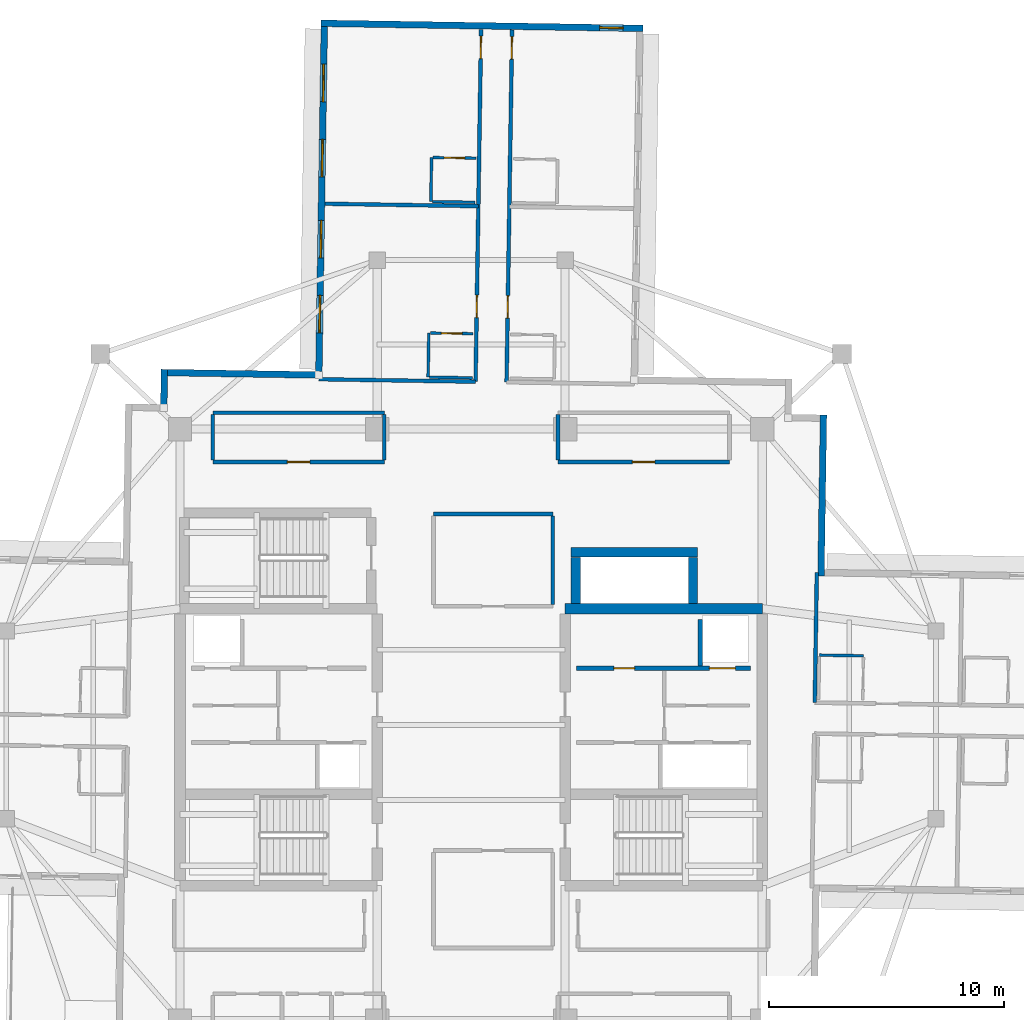
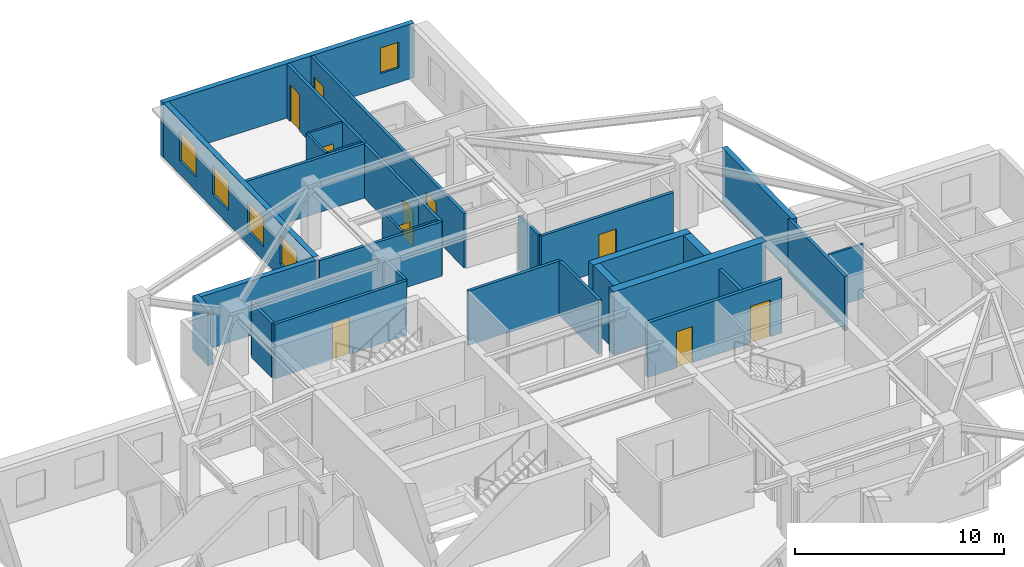
# One storey, part 7 of 12: 31 walls, 10 doors, 5 windows, 15 openings.
"""IFC4 building model written with IfcOpenShell, lengths in metres."""

from ifc_helpers import new_model, si_unit, direction, frame, frame_2d, origin, place, context, subcontext, project, spatial, rectangle, extrude, material, layer, layer_set, type_object, element, fill, save


model = new_model("IFC4")

# Units and contexts
model_context = context("Model", 3, precision=1e-05, world=origin(), true_north=direction((0.0, 1.0)))
body_context = subcontext(model_context, "Body", "Model", "MODEL_VIEW")
ifc_project = project(units=[si_unit("LENGTHUNIT", "METRE"), si_unit("AREAUNIT", "SQUARE_METRE"), si_unit("VOLUMEUNIT", "CUBIC_METRE"), si_unit("PLANEANGLEUNIT", "RADIAN"), si_unit("MASSUNIT", "GRAM", prefix="KILO")], contexts=[model_context])

# Site, building, storey
site_placement = place(None, origin())
site = spatial("IfcSite", under=ifc_project, at=site_placement, CompositionType="ELEMENT")
building_placement = place(site_placement, origin())
building = spatial("IfcBuilding", under=site, at=building_placement, Name="Qingluan Cross Belvedere", CompositionType="ELEMENT")
storey_placement = place(building_placement, frame((0.0, 0.0, 261.60009765625)))
storey = spatial("IfcBuildingStorey", under=building, at=storey_placement, Name="L65", CompositionType="ELEMENT", Elevation=261.60009765625)

# Walls
ifc_material_1 = material(Name="Concrete C50", Category="concrete")
ifc_layer_1 = layer(ifc_material_1, 0.449951171875, Name="CoreShearWall_450")
ifc_layer_set_1 = layer_set([ifc_layer_1], Name="Concrete C50")
wall_type_1 = type_object("IfcWallType", Name="CoreShearWall_450", PredefinedType="SHEAR", material=ifc_layer_set_1)
wall_1_placement = place(storey_placement, frame((4.0, 4.949951171875, 0.0), z_axis=(0.0, 0.0, 1.0), x_axis=(1.0, 0.0, 0.0)))
element("IfcWall", 1, at=wall_1_placement, inside=storey, type_object=wall_type_1, Name="Split core E shear wall L65-N", PredefinedType="SHEAR", context=body_context, shape_type="SweptSolid", body=[
    extrude(rectangle(XDim=8.39990234375, YDim=0.449951171875, at=frame_2d((4.199951171875, 0.0))), origin(), (0.0, 0.0, 1.0), 3.699951171875),
])
wall_2_placement = place(storey_placement, frame((4.449951171875, 5.179931640625, 0.0), z_axis=(0.0, 0.0, 1.0), x_axis=(0.0, 1.0, 0.0)))
element("IfcWall", 2, at=wall_2_placement, inside=storey, type_object=wall_type_1, Name="Express shuttle core wall L65-W", PredefinedType="SHEAR", context=body_context, shape_type="SweptSolid", body=[
    extrude(rectangle(XDim=1.9599609375, YDim=0.39990234375, at=frame_2d((0.97998046875, 0.0))), origin(), (0.0, 0.0, 1.0), 3.699951171875),
])
wall_3_placement = place(storey_placement, frame((4.25, 7.35009765625, 0.0), z_axis=(0.0, 0.0, 1.0), x_axis=(1.0, 0.0, 0.0)))
element("IfcWall", 3, at=wall_3_placement, inside=storey, type_object=wall_type_1, Name="Express shuttle core wall L65-N", PredefinedType="SHEAR", context=body_context, shape_type="SweptSolid", body=[
    extrude(rectangle(XDim=5.39990234375, YDim=0.39990234375, at=frame_2d((2.699951171875, 0.0))), origin(), (0.0, 0.0, 1.0), 3.699951171875),
])
wall_4_placement = place(storey_placement, frame((9.449951171875, 5.179931640625, 0.0), z_axis=(0.0, 0.0, 1.0), x_axis=(0.0, 1.0, 0.0)))
element("IfcWall", 4, at=wall_4_placement, inside=storey, type_object=wall_type_1, Name="Express shuttle core wall L65-E", PredefinedType="SHEAR", context=body_context, shape_type="SweptSolid", body=[
    extrude(rectangle(XDim=1.9599609375, YDim=0.39990234375, at=frame_2d((0.97998046875, 0.0))), origin(), (0.0, 0.0, 1.0), 3.699951171875),
])

# Wall, opening, door
ifc_material_2 = material(Name="Gypsum plasterboard on steel stud acoustic partition", Category="steel")
ifc_layer_2 = layer(ifc_material_2, 0.159912109375, Name="CorridorPartition_160")
ifc_layer_set_2 = layer_set([ifc_layer_2], Name="Gypsum plasterboard on steel stud acoustic partition")
wall_type_2 = type_object("IfcWallType", Name="CorridorPartition_160", PredefinedType="PARTITIONING", material=ifc_layer_set_2)
wall_5_placement = place(storey_placement, frame((-11.0, 11.199951171875, 0.0), z_axis=(0.0, 0.0, 1.0), x_axis=(1.0, 0.0, 0.0)))
wall_5 = element("IfcWall", 5, at=wall_5_placement, inside=storey, type_object=wall_type_2, Name="Partition L65:q_nw_occ:S", PredefinedType="PARTITIONING", context=body_context, shape_type="SweptSolid", body=[
    extrude(rectangle(XDim=7.300048828125, YDim=0.159912109375, at=frame_2d((3.64990234375, 0.0))), origin(), (0.0, 0.0, 1.0), 3.169921875),
])
opening_1_placement = place(wall_5_placement, frame((3.169921875, 0.0, 0.0)))
opening_1 = element("IfcOpeningElement", 6, at=opening_1_placement, cuts=wall_5, Name="Opening GD-10", PredefinedType="OPENING", context=body_context, shape_type="SweptSolid", body=[
    extrude(rectangle(XDim=0.9599609375, YDim=2.14990234375, at=frame_2d((0.47998046875, 1.074951171875))), frame((0.0, 0.08984375, 0.0), z_axis=(0.0, -1.0, 0.0), x_axis=(1.0, 0.0, 0.0)), (0.0, 0.0, 1.0), 0.179931640625),
])
ifc_material_3 = material(Name="Timber oak fire-rated acoustic guestroom door", Category="wood")
door_type_1 = type_object("IfcDoorType", Name="GuestEntryDoor_FD60", OperationType="NOTDEFINED", PredefinedType="DOOR", material=ifc_material_3)
door_1_placement = place(opening_1_placement, origin())
door_1 = element("IfcDoor", 7, at=door_1_placement, inside=storey, type_object=door_type_1, Name="Northwest sky reading salon L65 door", OperationType="SINGLE_SWING_RIGHT", OverallHeight=2.14990234375, OverallWidth=0.9599609375, PredefinedType="DOOR", context=body_context, shape_type="SweptSolid", body=[
    extrude(rectangle(XDim=0.9599609375, YDim=2.14990234375, at=frame_2d((0.47998046875, 1.074951171875))), frame((0.0, 0.02490234375, 0.0), z_axis=(0.0, -1.0, 0.0), x_axis=(1.0, 0.0, 0.0)), (0.0, 0.0, 1.0), 0.050048828125),
])
fill(opening_1, door_1)

# Walls
wall_6_placement = place(storey_placement, frame((-11.0, 13.300048828125, 0.0), z_axis=(0.0, 0.0, 1.0), x_axis=(1.0, 0.0, 0.0)))
element("IfcWall", 8, at=wall_6_placement, inside=storey, type_object=wall_type_2, Name="Partition L65:q_nw_occ:N", PredefinedType="PARTITIONING", context=body_context, shape_type="SweptSolid", body=[
    extrude(rectangle(XDim=7.300048828125, YDim=0.159912109375, at=frame_2d((3.64990234375, 0.0))), origin(), (0.0, 0.0, 1.0), 3.169921875),
])
for number, where, z_axis, x_axis, name in (
    (9, (-11.0, 11.284912109375, 0.0), (0.0, 0.0, 1.0), (0.0, 1.0, 0.0), "Partition L65:q_nw_occ:W"),
    (10, (-3.699951171875, 11.284912109375, 0.0), (0.0, 0.0, 1.0), (0.0, 1.0, 0.0), "Partition L65:q_nw_occ:E"),
):
    element("IfcWall", number, at=place(storey_placement, frame(where, z_axis=z_axis, x_axis=x_axis)), inside=storey, type_object=wall_type_2, Name=name, PredefinedType="PARTITIONING", context=body_context, shape_type="SweptSolid", body=[
        extrude(rectangle(XDim=1.93017578125, YDim=0.159912109375, at=frame_2d((0.965087890625, 0.0))), origin(), (0.0, 0.0, 1.0), 3.169921875),
    ])

# Wall, opening, door
wall_7_placement = place(storey_placement, frame((3.699951171875, 11.199951171875, 0.0), z_axis=(0.0, 0.0, 1.0), x_axis=(1.0, 0.0, 0.0)))
wall_7 = element("IfcWall", 11, at=wall_7_placement, inside=storey, type_object=wall_type_2, Name="Partition L65:q_ne:S", PredefinedType="PARTITIONING", context=body_context, shape_type="SweptSolid", body=[
    extrude(rectangle(XDim=7.300048828125, YDim=0.159912109375, at=frame_2d((3.64990234375, 0.0))), origin(), (0.0, 0.0, 1.0), 3.169921875),
])
opening_2_placement = place(wall_7_placement, frame((3.169921875, 0.0, 0.0)))
opening_2 = element("IfcOpeningElement", 12, at=opening_2_placement, cuts=wall_7, Name="Opening GD-10", PredefinedType="OPENING", context=body_context, shape_type="SweptSolid", body=[
    extrude(rectangle(XDim=0.9599609375, YDim=2.14990234375, at=frame_2d((0.47998046875, 1.074951171875))), frame((0.0, 0.08984375, 0.0), z_axis=(0.0, -1.0, 0.0), x_axis=(1.0, 0.0, 0.0)), (0.0, 0.0, 1.0), 0.179931640625),
])
door_2_placement = place(opening_2_placement, origin())
door_2 = element("IfcDoor", 13, at=door_2_placement, inside=storey, type_object=door_type_1, Name="Sky tea ceremony salon L65 door", OperationType="SINGLE_SWING_LEFT", OverallHeight=2.14990234375, OverallWidth=0.9599609375, PredefinedType="DOOR", context=body_context, shape_type="SweptSolid", body=[
    extrude(rectangle(XDim=0.9599609375, YDim=2.14990234375, at=frame_2d((0.47998046875, 1.074951171875))), frame((0.0, 0.02490234375, 0.0), z_axis=(0.0, -1.0, 0.0), x_axis=(1.0, 0.0, 0.0)), (0.0, 0.0, 1.0), 0.050048828125),
])
fill(opening_2, door_2)

# Walls
wall_8_placement = place(storey_placement, frame((3.699951171875, 11.284912109375, 0.0), z_axis=(0.0, 0.0, 1.0), x_axis=(0.0, 1.0, 0.0)))
element("IfcWall", 14, at=wall_8_placement, inside=storey, type_object=wall_type_2, Name="Partition L65:q_ne:W", PredefinedType="PARTITIONING", context=body_context, shape_type="SweptSolid", body=[
    extrude(rectangle(XDim=1.93017578125, YDim=0.159912109375, at=frame_2d((0.965087890625, 0.0))), origin(), (0.0, 0.0, 1.0), 3.169921875),
])
wall_9_placement = place(storey_placement, frame((-1.60009765625, 8.97998046875, 0.0), z_axis=(0.0, 0.0, 1.0), x_axis=(1.0, 0.0, 0.0)))
element("IfcWall", 15, at=wall_9_placement, inside=storey, type_object=wall_type_2, Name="Partition L65:sky_tea_alcove:N", PredefinedType="PARTITIONING", context=body_context, shape_type="SweptSolid", body=[
    extrude(rectangle(XDim=5.080078125, YDim=0.159912109375, at=frame_2d((2.5400390625, 0.0))), origin(), (0.0, 0.0, 1.0), 3.169921875),
])
wall_10_placement = place(storey_placement, frame((3.47998046875, 5.135009765625, 0.0), z_axis=(0.0, 0.0, 1.0), x_axis=(0.0, 1.0, 0.0)))
element("IfcWall", 16, at=wall_10_placement, inside=storey, type_object=wall_type_2, Name="Partition L65:sky_tea_alcove:E", PredefinedType="PARTITIONING", context=body_context, shape_type="SweptSolid", body=[
    extrude(rectangle(XDim=3.760009765625, YDim=0.159912109375, at=frame_2d((1.8798828125, 0.0))), origin(), (0.0, 0.0, 1.0), 3.169921875),
])
wall_11_placement = place(storey_placement, frame((14.63671875, 0.9501953125, 0.0), z_axis=(0.0, 0.0, 1.0), x_axis=(0.015688491621, 0.999876928042, 0.0)))
element("IfcWall", 17, at=wall_11_placement, inside=storey, type_object=wall_type_2, Name="Partition L65:E:s0", PredefinedType="PARTITIONING", context=body_context, shape_type="SweptSolid", body=[
    extrude(rectangle(XDim=5.5400390625, YDim=0.159912109375, at=frame_2d((2.77001953125, 0.0))), origin(), (0.0, 0.0, 1.0), 3.169921875),
])

# Wall, openings, doors
wall_12_placement = place(storey_placement, frame((1.509521484375, 14.59814453125, 0.0), z_axis=(0.0, 0.0, 1.0), x_axis=(0.015709976686, 0.999876590701, 0.0)))
wall_12 = element("IfcWall", 18, at=wall_12_placement, inside=storey, type_object=wall_type_2, Name="Partition L65:N:c0", PredefinedType="PARTITIONING", context=body_context, shape_type="SweptSolid", body=[
    extrude(rectangle(XDim=15.01220703125, YDim=0.159912109375, at=frame_2d((7.506103515625, 0.0))), origin(), (0.0, 0.0, 1.0), 3.169921875),
])
opening_3_placement = place(wall_12_placement, frame((2.72802734375, 0.0, 0.0)))
opening_3 = element("IfcOpeningElement", 19, at=opening_3_placement, cuts=wall_12, Name="Opening GD-10", PredefinedType="OPENING", context=body_context, shape_type="SweptSolid", body=[
    extrude(rectangle(XDim=0.9599609375, YDim=2.14990234375, at=frame_2d((0.47998046875, 1.074951171875))), frame((0.0, 0.08984375, 0.0), z_axis=(0.0, -1.0, 0.0), x_axis=(1.0, 0.0, 0.0)), (0.0, 0.0, 1.0), 0.179931640625),
])
opening_4_placement = place(wall_12_placement, frame((13.760009765625, 0.0, 0.0)))
opening_4 = element("IfcOpeningElement", 20, at=opening_4_placement, cuts=wall_12, Name="Opening GD-10", PredefinedType="OPENING", context=body_context, shape_type="SweptSolid", body=[
    extrude(rectangle(XDim=0.9599609375, YDim=2.14990234375, at=frame_2d((0.47998046875, 1.074951171875))), frame((0.0, 0.08984375, 0.0), z_axis=(0.0, -1.0, 0.0), x_axis=(1.0, 0.0, 0.0)), (0.0, 0.0, 1.0), 0.179931640625),
])
door_3_placement = place(opening_3_placement, origin())
door_3 = element("IfcDoor", 21, at=door_3_placement, inside=storey, type_object=door_type_1, Name="Guest entry fire door 6509", OperationType="SINGLE_SWING_RIGHT", OverallHeight=2.14990234375, OverallWidth=0.9599609375, PredefinedType="DOOR", context=body_context, shape_type="SweptSolid", body=[
    extrude(rectangle(XDim=0.9599609375, YDim=2.14990234375, at=frame_2d((0.47998046875, 1.074951171875))), frame((0.0, 0.02490234375, 0.0), z_axis=(0.0, -1.0, 0.0), x_axis=(1.0, 0.0, 0.0)), (0.0, 0.0, 1.0), 0.050048828125),
])
fill(opening_3, door_3)
door_4_placement = place(opening_4_placement, origin())
door_4 = element("IfcDoor", 22, at=door_4_placement, inside=storey, type_object=door_type_1, Name="Guest entry fire door 6510", OperationType="SINGLE_SWING_RIGHT", OverallHeight=2.14990234375, OverallWidth=0.9599609375, PredefinedType="DOOR", context=body_context, shape_type="SweptSolid", body=[
    extrude(rectangle(XDim=0.9599609375, YDim=2.14990234375, at=frame_2d((0.47998046875, 1.074951171875))), frame((0.0, 0.02490234375, 0.0), z_axis=(0.0, -1.0, 0.0), x_axis=(1.0, 0.0, 0.0)), (0.0, 0.0, 1.0), 0.050048828125),
])
fill(opening_4, door_4)

wall_13_placement = place(storey_placement, frame((0.189697265625, 14.618896484375, 0.0), z_axis=(0.0, 0.0, 1.0), x_axis=(0.015710232149, 0.999876586687, 0.0)))
wall_13 = element("IfcWall", 23, at=wall_13_placement, inside=storey, type_object=wall_type_2, Name="Partition L65:N:c1", PredefinedType="PARTITIONING", context=body_context, shape_type="SweptSolid", body=[
    extrude(rectangle(XDim=15.011962890625, YDim=0.159912109375, at=frame_2d((7.505859375, 0.0))), origin(), (0.0, 0.0, 1.0), 3.169921875),
])
opening_5_placement = place(wall_13_placement, frame((2.72802734375, 0.0, 0.0)))
opening_5 = element("IfcOpeningElement", 24, at=opening_5_placement, cuts=wall_13, Name="Opening GD-10", PredefinedType="OPENING", context=body_context, shape_type="SweptSolid", body=[
    extrude(rectangle(XDim=0.9599609375, YDim=2.14990234375, at=frame_2d((0.47998046875, 1.074951171875))), frame((0.0, 0.08984375, 0.0), z_axis=(0.0, -1.0, 0.0), x_axis=(1.0, 0.0, 0.0)), (0.0, 0.0, 1.0), 0.179931640625),
])
opening_6_placement = place(wall_13_placement, frame((13.760009765625, 0.0, 0.0)))
opening_6 = element("IfcOpeningElement", 25, at=opening_6_placement, cuts=wall_13, Name="Opening GD-10", PredefinedType="OPENING", context=body_context, shape_type="SweptSolid", body=[
    extrude(rectangle(XDim=0.9599609375, YDim=2.14990234375, at=frame_2d((0.47998046875, 1.074951171875))), frame((0.0, 0.08984375, 0.0), z_axis=(0.0, -1.0, 0.0), x_axis=(1.0, 0.0, 0.0)), (0.0, 0.0, 1.0), 0.179931640625),
])
door_5_placement = place(opening_5_placement, origin())
door_5 = element("IfcDoor", 26, at=door_5_placement, inside=storey, type_object=door_type_1, Name="Guest entry fire door 6511", OperationType="SINGLE_SWING_RIGHT", OverallHeight=2.14990234375, OverallWidth=0.9599609375, PredefinedType="DOOR", context=body_context, shape_type="SweptSolid", body=[
    extrude(rectangle(XDim=0.9599609375, YDim=2.14990234375, at=frame_2d((0.47998046875, 1.074951171875))), frame((0.0, 0.02490234375, 0.0), z_axis=(0.0, -1.0, 0.0), x_axis=(1.0, 0.0, 0.0)), (0.0, 0.0, 1.0), 0.050048828125),
])
fill(opening_5, door_5)
door_6_placement = place(opening_6_placement, origin())
door_6 = element("IfcDoor", 27, at=door_6_placement, inside=storey, type_object=door_type_1, Name="Guest entry fire door 6512", OperationType="SINGLE_SWING_RIGHT", OverallHeight=2.14990234375, OverallWidth=0.9599609375, PredefinedType="DOOR", context=body_context, shape_type="SweptSolid", body=[
    extrude(rectangle(XDim=0.9599609375, YDim=2.14990234375, at=frame_2d((0.47998046875, 1.074951171875))), frame((0.0, 0.02490234375, 0.0), z_axis=(0.0, -1.0, 0.0), x_axis=(1.0, 0.0, 0.0)), (0.0, 0.0, 1.0), 0.050048828125),
])
fill(opening_6, door_6)

# Walls
wall_14_placement = place(storey_placement, frame((0.189697265625, 14.618896484375, 0.0), z_axis=(0.0, 0.0, 1.0), x_axis=(-0.999877076246, 0.015679043267, 0.0)))
element("IfcWall", 28, at=wall_14_placement, inside=storey, type_object=wall_type_2, Name="Partition L65:N:s1", PredefinedType="PARTITIONING", context=body_context, shape_type="SweptSolid", body=[
    extrude(rectangle(XDim=6.679931640625, YDim=0.159912109375, at=frame_2d((3.33984375, 0.0))), origin(), (0.0, 0.0, 1.0), 3.169921875),
])
wall_15_placement = place(storey_placement, frame((0.30712890625, 22.094970703125, 0.0), z_axis=(0.0, 0.0, 1.0), x_axis=(-0.999876781534, 0.015697826265, 0.0)))
element("IfcWall", 29, at=wall_15_placement, inside=storey, type_object=wall_type_2, Name="Partition L65:N:d1_0", PredefinedType="PARTITIONING", context=body_context, shape_type="SweptSolid", body=[
    extrude(rectangle(XDim=6.531982421875, YDim=0.159912109375, at=frame_2d((3.26611328125, 0.0))), origin(), (0.0, 0.0, 1.0), 3.169921875),
])
ifc_material_4 = material(Name="Moisture-resistant gypsum board lining")
ifc_layer_3 = layer(ifc_material_4, 0.1201171875, Name="EnsuiteWetPartition_120")
ifc_layer_set_3 = layer_set([ifc_layer_3], Name="Moisture-resistant gypsum board lining")
wall_type_3 = type_object("IfcWallType", Name="EnsuiteWetPartition_120", PredefinedType="PARTITIONING", material=ifc_layer_set_3)
wall_16_placement = place(storey_placement, frame((14.82861328125, 2.972412109375, 0.0), z_axis=(0.0, 0.0, 1.0), x_axis=(0.99987652141, -0.015714386166, 0.0)))
element("IfcWall", 30, at=wall_16_placement, inside=storey, type_object=wall_type_3, Name="Partition L65:E:bn0_0", PredefinedType="PARTITIONING", context=body_context, shape_type="SweptSolid", body=[
    extrude(rectangle(XDim=1.8798828125, YDim=0.1201171875, at=frame_2d((0.93994140625, 0.0))), origin(), (0.0, 0.0, 1.0), 3.169921875),
])

# Wall, opening, door
wall_17_placement = place(storey_placement, frame((-1.738037109375, 16.689453125, 0.0), z_axis=(0.0, 0.0, 1.0), x_axis=(0.999876836305, -0.015694337248, 0.0)))
wall_17 = element("IfcWall", 31, at=wall_17_placement, inside=storey, type_object=wall_type_3, Name="Partition L65:N:bs1_0", PredefinedType="PARTITIONING", context=body_context, shape_type="SweptSolid", body=[
    extrude(rectangle(XDim=1.820068359375, YDim=0.1201171875, at=frame_2d((0.91015625, 0.0))), origin(), (0.0, 0.0, 1.0), 3.169921875),
])
opening_7_placement = place(wall_17_placement, frame((0.469970703125, 0.0, 0.0)))
opening_7 = element("IfcOpeningElement", 32, at=opening_7_placement, cuts=wall_17, Name="Opening BD-09", PredefinedType="OPENING", context=body_context, shape_type="SweptSolid", body=[
    extrude(rectangle(XDim=0.8798828125, YDim=2.10009765625, at=frame_2d((0.43994140625, 1.050048828125))), frame((0.0, 0.070068359375, 0.0), z_axis=(0.0, -1.0, 0.0), x_axis=(1.0, 0.0, 0.0)), (0.0, 0.0, 1.0), 0.14013671875),
])
ifc_material_5 = material(Name="Moisture-sealed timber en-suite door", Category="wood")
door_type_2 = type_object("IfcDoorType", Name="BathroomDoor_880", OperationType="NOTDEFINED", PredefinedType="DOOR", material=ifc_material_5)
door_7_placement = place(opening_7_placement, origin())
door_7 = element("IfcDoor", 33, at=door_7_placement, inside=storey, type_object=door_type_2, Name="Bathroom door 6511", OperationType="SINGLE_SWING_LEFT", OverallHeight=2.10009765625, OverallWidth=0.8798828125, PredefinedType="DOOR", context=body_context, shape_type="SweptSolid", body=[
    extrude(rectangle(XDim=0.8798828125, YDim=2.10009765625, at=frame_2d((0.43994140625, 1.050048828125))), frame((0.0, 0.02490234375, 0.0), z_axis=(0.0, -1.0, 0.0), x_axis=(1.0, 0.0, 0.0)), (0.0, 0.0, 1.0), 0.050048828125),
])
fill(opening_7, door_7)

# Walls
wall_18_placement = place(storey_placement, frame((-1.767578125, 14.8095703125, 0.0), z_axis=(0.0, 0.0, 1.0), x_axis=(0.999876836305, -0.015694337248, 0.0)))
element("IfcWall", 34, at=wall_18_placement, inside=storey, type_object=wall_type_3, Name="Partition L65:N:bw1_0", PredefinedType="PARTITIONING", context=body_context, shape_type="SweptSolid", body=[
    extrude(rectangle(XDim=1.820068359375, YDim=0.1201171875, at=frame_2d((0.91015625, 0.0))), origin(), (0.0, 0.0, 1.0), 3.169921875),
])
wall_19_placement = place(storey_placement, frame((-1.83251953125, 14.810546875, 0.0), z_axis=(0.0, 0.0, 1.0), x_axis=(0.01571234584, 0.999876553475, 0.0)))
element("IfcWall", 35, at=wall_19_placement, inside=storey, type_object=wall_type_3, Name="Partition L65:N:bc1_0", PredefinedType="PARTITIONING", context=body_context, shape_type="SweptSolid", body=[
    extrude(rectangle(XDim=1.880126953125, YDim=0.1201171875, at=frame_2d((0.93994140625, 0.0))), origin(), (0.0, 0.0, 1.0), 3.169921875),
])

# Wall, opening, door
wall_20_placement = place(storey_placement, frame((-1.62060546875, 24.165283203125, 0.0), z_axis=(0.0, 0.0, 1.0), x_axis=(0.999876836305, -0.015694337248, 0.0)))
wall_20 = element("IfcWall", 36, at=wall_20_placement, inside=storey, type_object=wall_type_3, Name="Partition L65:N:bs1_1", PredefinedType="PARTITIONING", context=body_context, shape_type="SweptSolid", body=[
    extrude(rectangle(XDim=1.820068359375, YDim=0.1201171875, at=frame_2d((0.91015625, 0.0))), origin(), (0.0, 0.0, 1.0), 3.169921875),
])
opening_8_placement = place(wall_20_placement, frame((0.469970703125, 0.0, 0.0)))
opening_8 = element("IfcOpeningElement", 37, at=opening_8_placement, cuts=wall_20, Name="Opening BD-09", PredefinedType="OPENING", context=body_context, shape_type="SweptSolid", body=[
    extrude(rectangle(XDim=0.8798828125, YDim=2.10009765625, at=frame_2d((0.43994140625, 1.050048828125))), frame((0.0, 0.070068359375, 0.0), z_axis=(0.0, -1.0, 0.0), x_axis=(1.0, 0.0, 0.0)), (0.0, 0.0, 1.0), 0.14013671875),
])
door_8_placement = place(opening_8_placement, origin())
door_8 = element("IfcDoor", 38, at=door_8_placement, inside=storey, type_object=door_type_2, Name="Bathroom door 6512", OperationType="SINGLE_SWING_LEFT", OverallHeight=2.10009765625, OverallWidth=0.8798828125, PredefinedType="DOOR", context=body_context, shape_type="SweptSolid", body=[
    extrude(rectangle(XDim=0.8798828125, YDim=2.10009765625, at=frame_2d((0.43994140625, 1.050048828125))), frame((0.0, 0.02490234375, 0.0), z_axis=(0.0, -1.0, 0.0), x_axis=(1.0, 0.0, 0.0)), (0.0, 0.0, 1.0), 0.050048828125),
])
fill(opening_8, door_8)

# Walls
wall_21_placement = place(storey_placement, frame((-1.650146484375, 22.28564453125, 0.0), z_axis=(0.0, 0.0, 1.0), x_axis=(0.999876836305, -0.015694337248, 0.0)))
element("IfcWall", 39, at=wall_21_placement, inside=storey, type_object=wall_type_3, Name="Partition L65:N:bw1_1", PredefinedType="PARTITIONING", context=body_context, shape_type="SweptSolid", body=[
    extrude(rectangle(XDim=1.820068359375, YDim=0.1201171875, at=frame_2d((0.91015625, 0.0))), origin(), (0.0, 0.0, 1.0), 3.169921875),
])
wall_22_placement = place(storey_placement, frame((-1.715087890625, 22.28662109375, 0.0), z_axis=(0.0, 0.0, 1.0), x_axis=(0.01571234584, 0.999876553475, 0.0)))
element("IfcWall", 40, at=wall_22_placement, inside=storey, type_object=wall_type_3, Name="Partition L65:N:bc1_1", PredefinedType="PARTITIONING", context=body_context, shape_type="SweptSolid", body=[
    extrude(rectangle(XDim=1.880126953125, YDim=0.1201171875, at=frame_2d((0.93994140625, 0.0))), origin(), (0.0, 0.0, 1.0), 3.169921875),
])

# Wall, openings, windows
ifc_material_6 = material(Name="Precast concrete C45", Category="concrete")
ifc_layer_4 = layer(ifc_material_6, 0.280029296875, Name="PrecastFacadeWall_280")
ifc_layer_set_4 = layer_set([ifc_layer_4], Name="Precast concrete C45")
wall_type_4 = type_object("IfcWallType", Name="PrecastFacadeWall_280", PredefinedType="STANDARD", material=ifc_layer_set_4)
wall_23_placement = place(storey_placement, frame((-6.253662109375, 29.741943359375, 0.0), z_axis=(0.0, 0.0, 1.0), x_axis=(-0.015711302158, -0.999876569875, 0.0)))
wall_23 = element("IfcWall", 41, at=wall_23_placement, inside=storey, type_object=wall_type_4, Name="Facade wall L65-NB", PredefinedType="STANDARD", context=body_context, shape_type="SweptSolid", body=[
    extrude(rectangle(XDim=14.699951171875, YDim=0.280029296875, at=frame_2d((7.35009765625, 0.0))), origin(), (0.0, 0.0, 1.0), 3.179931640625),
])
opening_9_placement = place(wall_23_placement, frame((1.60009765625, 0.0, 0.800048828125)))
opening_9 = element("IfcOpeningElement", 42, at=opening_9_placement, cuts=wall_23, Name="Opening W-04", PredefinedType="OPENING", context=body_context, shape_type="SweptSolid", body=[
    extrude(rectangle(XDim=1.60009765625, YDim=1.699951171875, at=frame_2d((0.800048828125, 0.85009765625))), frame((0.0, 0.14990234375, 0.0), z_axis=(0.0, -1.0, 0.0), x_axis=(1.0, 0.0, 0.0)), (0.0, 0.0, 1.0), 0.300048828125),
])
opening_10_placement = place(wall_23_placement, frame((4.800048828125, 0.0, 0.800048828125)))
opening_10 = element("IfcOpeningElement", 43, at=opening_10_placement, cuts=wall_23, Name="Opening W-04", PredefinedType="OPENING", context=body_context, shape_type="SweptSolid", body=[
    extrude(rectangle(XDim=1.60009765625, YDim=1.699951171875, at=frame_2d((0.800048828125, 0.85009765625))), frame((0.0, 0.14990234375, 0.0), z_axis=(0.0, -1.0, 0.0), x_axis=(1.0, 0.0, 0.0)), (0.0, 0.0, 1.0), 0.300048828125),
])
opening_11_placement = place(wall_23_placement, frame((8.25, 0.0, 0.800048828125)))
opening_11 = element("IfcOpeningElement", 44, at=opening_11_placement, cuts=wall_23, Name="Opening W-04", PredefinedType="OPENING", context=body_context, shape_type="SweptSolid", body=[
    extrude(rectangle(XDim=1.60009765625, YDim=1.699951171875, at=frame_2d((0.800048828125, 0.85009765625))), frame((0.0, 0.14990234375, 0.0), z_axis=(0.0, -1.0, 0.0), x_axis=(1.0, 0.0, 0.0)), (0.0, 0.0, 1.0), 0.300048828125),
])
opening_12_placement = place(wall_23_placement, frame((11.449951171875, 0.0, 0.800048828125)))
opening_12 = element("IfcOpeningElement", 45, at=opening_12_placement, cuts=wall_23, Name="Opening W-04", PredefinedType="OPENING", context=body_context, shape_type="SweptSolid", body=[
    extrude(rectangle(XDim=1.60009765625, YDim=1.699951171875, at=frame_2d((0.800048828125, 0.85009765625))), frame((0.0, 0.14990234375, 0.0), z_axis=(0.0, -1.0, 0.0), x_axis=(1.0, 0.0, 0.0)), (0.0, 0.0, 1.0), 0.300048828125),
])
ifc_material_7 = material(Name="Thermally broken triple Low-E glass in aluminium frame", Category="aluminium")
window_type_1 = type_object("IfcWindowType", Name="SuiteCornerWin_1600x1700", PartitioningType="SINGLE_PANEL", PredefinedType="WINDOW", material=ifc_material_7)
window_1_placement = place(opening_9_placement, origin())
window_1 = element("IfcWindow", 46, at=window_1_placement, inside=storey, type_object=window_type_1, Name="Ribbon window L65-NB-1", OverallHeight=1.699951171875, OverallWidth=1.60009765625, PartitioningType="SINGLE_PANEL", PredefinedType="WINDOW", context=body_context, shape_type="SweptSolid", body=[
    extrude(rectangle(XDim=1.60009765625, YDim=1.699951171875, at=frame_2d((0.800048828125, 0.85009765625))), frame((0.0, 0.030029296875, 0.0), z_axis=(0.0, -1.0, 0.0), x_axis=(1.0, 0.0, 0.0)), (0.0, 0.0, 1.0), 0.06005859375),
])
fill(opening_9, window_1)
window_2_placement = place(opening_10_placement, origin())
window_2 = element("IfcWindow", 47, at=window_2_placement, inside=storey, type_object=window_type_1, Name="Ribbon window L65-NB-2", OverallHeight=1.699951171875, OverallWidth=1.60009765625, PartitioningType="SINGLE_PANEL", PredefinedType="WINDOW", context=body_context, shape_type="SweptSolid", body=[
    extrude(rectangle(XDim=1.60009765625, YDim=1.699951171875, at=frame_2d((0.800048828125, 0.85009765625))), frame((0.0, 0.030029296875, 0.0), z_axis=(0.0, -1.0, 0.0), x_axis=(1.0, 0.0, 0.0)), (0.0, 0.0, 1.0), 0.06005859375),
])
fill(opening_10, window_2)
window_3_placement = place(opening_11_placement, origin())
window_3 = element("IfcWindow", 48, at=window_3_placement, inside=storey, type_object=window_type_1, Name="Ribbon window L65-NB-3", OverallHeight=1.699951171875, OverallWidth=1.60009765625, PartitioningType="SINGLE_PANEL", PredefinedType="WINDOW", context=body_context, shape_type="SweptSolid", body=[
    extrude(rectangle(XDim=1.60009765625, YDim=1.699951171875, at=frame_2d((0.800048828125, 0.85009765625))), frame((0.0, 0.030029296875, 0.0), z_axis=(0.0, -1.0, 0.0), x_axis=(1.0, 0.0, 0.0)), (0.0, 0.0, 1.0), 0.06005859375),
])
fill(opening_11, window_3)
window_4_placement = place(opening_12_placement, origin())
window_4 = element("IfcWindow", 49, at=window_4_placement, inside=storey, type_object=window_type_1, Name="Ribbon window L65-NB-4", OverallHeight=1.699951171875, OverallWidth=1.60009765625, PartitioningType="SINGLE_PANEL", PredefinedType="WINDOW", context=body_context, shape_type="SweptSolid", body=[
    extrude(rectangle(XDim=1.60009765625, YDim=1.699951171875, at=frame_2d((0.800048828125, 0.85009765625))), frame((0.0, 0.030029296875, 0.0), z_axis=(0.0, -1.0, 0.0), x_axis=(1.0, 0.0, 0.0)), (0.0, 0.0, 1.0), 0.06005859375),
])
fill(opening_12, window_4)

# Wall, opening, window
wall_24_placement = place(storey_placement, frame((7.326904296875, 29.668701171875, 0.0), z_axis=(0.0, 0.0, 1.0), x_axis=(-0.999876828887, 0.015694809807, 0.0)))
wall_24 = element("IfcWall", 50, at=wall_24_placement, inside=storey, type_object=wall_type_4, Name="Arm tip precast facade wall L65-N", PredefinedType="STANDARD", context=body_context, shape_type="SweptSolid", body=[
    extrude(rectangle(XDim=13.719970703125, YDim=0.280029296875, at=frame_2d((6.85986328125, 0.0))), origin(), (0.0, 0.0, 1.0), 3.179931640625),
])
opening_13_placement = place(wall_24_placement, frame((0.85009765625, 0.0, 0.85009765625)))
opening_13 = element("IfcOpeningElement", 51, at=opening_13_placement, cuts=wall_24, Name="Opening W-03", PredefinedType="OPENING", context=body_context, shape_type="SweptSolid", body=[
    extrude(rectangle(XDim=1.0, YDim=1.5, at=frame_2d((0.5, 0.75))), frame((0.0, 0.14990234375, 0.0), z_axis=(0.0, -1.0, 0.0), x_axis=(1.0, 0.0, 0.0)), (0.0, 0.0, 1.0), 0.300048828125),
])
ifc_material_8 = material(Name="Thermally broken triple Low-E glass in aluminium frame", Category="aluminium")
window_type_2 = type_object("IfcWindowType", Name="TriApexWin_1000x1500", PartitioningType="SINGLE_PANEL", PredefinedType="WINDOW", material=ifc_material_8)
window_5_placement = place(opening_13_placement, origin())
window_5 = element("IfcWindow", 52, at=window_5_placement, inside=storey, type_object=window_type_2, Name="Arm tip triangular window L65-N", OverallHeight=1.5, OverallWidth=1.0, PartitioningType="SINGLE_PANEL", PredefinedType="WINDOW", context=body_context, shape_type="SweptSolid", body=[
    extrude(rectangle(XDim=1.0, YDim=1.5, at=frame_2d((0.5, 0.75))), frame((0.0, 0.030029296875, 0.0), z_axis=(0.0, -1.0, 0.0), x_axis=(1.0, 0.0, 0.0)), (0.0, 0.0, 1.0), 0.06005859375),
])
fill(opening_13, window_5)

# Walls
wall_25_placement = place(storey_placement, frame((14.901611328125, 6.3466796875, 0.0), z_axis=(0.0, 0.0, 1.0), x_axis=(0.015694809807, 0.999876828887, 0.0)))
element("IfcWall", 53, at=wall_25_placement, inside=storey, type_object=wall_type_4, Name="Corner wall L65-NE1", PredefinedType="STANDARD", context=body_context, shape_type="SweptSolid", body=[
    extrude(rectangle(XDim=6.85986328125, YDim=0.280029296875, at=frame_2d((3.429931640625, 0.0))), origin(), (0.0, 0.0, 1.0), 3.179931640625),
])
wall_26_placement = place(storey_placement, frame((-13.08740234375, 13.647216796875, 0.0), z_axis=(0.0, 0.0, 1.0), x_axis=(0.015785793208, 0.999875396603, 0.0)))
element("IfcWall", 54, at=wall_26_placement, inside=storey, type_object=wall_type_4, Name="Corner wall L65-NW3", PredefinedType="STANDARD", context=body_context, shape_type="SweptSolid", body=[
    extrude(rectangle(XDim=1.500244140625, YDim=0.280029296875, at=frame_2d((0.75, 0.0))), origin(), (0.0, 0.0, 1.0), 3.179931640625),
])
wall_27_placement = place(storey_placement, frame((-12.92578125, 15.0048828125, 0.0), z_axis=(0.0, 0.0, 1.0), x_axis=(0.999876823822, -0.015695132501, 0.0)))
element("IfcWall", 55, at=wall_27_placement, inside=storey, type_object=wall_type_4, Name="Corner wall L65-NW4", PredefinedType="STANDARD", context=body_context, shape_type="SweptSolid", body=[
    extrude(rectangle(XDim=6.2998046875, YDim=0.280029296875, at=frame_2d((3.14990234375, 0.0))), origin(), (0.0, 0.0, 1.0), 3.179931640625),
])

# Wall, openings, doors
ifc_material_9 = material(Name="Concrete C40", Category="concrete")
ifc_layer_5 = layer(ifc_material_9, 0.219970703125, Name="ShaftEnclosureWall_250")
ifc_layer_set_5 = layer_set([ifc_layer_5], Name="Concrete C40")
wall_type_5 = type_object("IfcWallType", Name="ShaftEnclosureWall_250", PredefinedType="SOLIDWALL", material=ifc_layer_set_5)
wall_28_placement = place(storey_placement, frame((4.47998046875, 2.409912109375, 0.0), z_axis=(0.0, 0.0, 1.0), x_axis=(1.0, 0.0, 0.0)))
wall_28 = element("IfcWall", 56, at=wall_28_placement, inside=storey, type_object=wall_type_5, Name="Core-E north hoistway wall L65", PredefinedType="SOLIDWALL", context=body_context, shape_type="SweptSolid", body=[
    extrude(rectangle(XDim=7.419921875, YDim=0.179931640625, at=frame_2d((3.7099609375, 0.0))), origin(), (0.0, 0.0, 1.0), 3.169921875),
])
opening_14_placement = place(wall_28_placement, frame((5.669921875, 0.0, 0.0)))
opening_14 = element("IfcOpeningElement", 57, at=opening_14_placement, cuts=wall_28, Name="Opening LD-11", PredefinedType="OPENING", context=body_context, shape_type="SweptSolid", body=[
    extrude(rectangle(XDim=1.10009765625, YDim=2.14990234375, at=frame_2d((0.550048828125, 1.074951171875))), frame((0.0, 0.099853515625, 0.0), z_axis=(0.0, -1.0, 0.0), x_axis=(1.0, 0.0, 0.0)), (0.0, 0.0, 1.0), 0.199951171875),
])
opening_15_placement = place(wall_28_placement, frame((1.60009765625, 0.0, 0.0)))
opening_15 = element("IfcOpeningElement", 58, at=opening_15_placement, cuts=wall_28, Name="Opening FD-B10", PredefinedType="OPENING", context=body_context, shape_type="SweptSolid", body=[
    extrude(rectangle(XDim=0.8798828125, YDim=2.10009765625, at=frame_2d((0.43994140625, 1.050048828125))), frame((0.0, 0.099853515625, 0.0), z_axis=(0.0, -1.0, 0.0), x_axis=(1.0, 0.0, 0.0)), (0.0, 0.0, 1.0), 0.199951171875),
])
ifc_material_10 = material(Name="Brushed stainless steel centre-opening lift landing door", Category="steel")
door_type_3 = type_object("IfcDoorType", Name="LiftLandingSlidingDoor_1100", OperationType="DOUBLE_DOOR_SLIDING", PredefinedType="DOOR", material=ifc_material_10)
door_9_placement = place(opening_14_placement, origin())
door_9 = element("IfcDoor", 59, at=door_9_placement, inside=storey, type_object=door_type_3, Name="Lift landing sliding door FL2 L65", OperationType="DOUBLE_DOOR_SLIDING", OverallHeight=2.14990234375, OverallWidth=1.10009765625, PredefinedType="DOOR", context=body_context, shape_type="SweptSolid", body=[
    extrude(rectangle(XDim=1.10009765625, YDim=2.14990234375, at=frame_2d((0.550048828125, 1.074951171875))), frame((0.0, 0.02490234375, 0.0), z_axis=(0.0, -1.0, 0.0), x_axis=(1.0, 0.0, 0.0)), (0.0, 0.0, 1.0), 0.050048828125),
])
fill(opening_14, door_9)
ifc_material_11 = material(Name="Steel Class B service fire door", Category="steel")
door_type_4 = type_object("IfcDoorType", Name="RiserServiceFireDoor_FDB", OperationType="NOTDEFINED", PredefinedType="DOOR", material=ifc_material_11)
door_10_placement = place(opening_15_placement, origin())
door_10 = element("IfcDoor", 60, at=door_10_placement, inside=storey, type_object=door_type_4, Name="Pantry room door E L65", OperationType="SINGLE_SWING_LEFT", OverallHeight=2.10009765625, OverallWidth=0.8798828125, PredefinedType="DOOR", context=body_context, shape_type="SweptSolid", body=[
    extrude(rectangle(XDim=0.8798828125, YDim=2.10009765625, at=frame_2d((0.43994140625, 1.050048828125))), frame((0.0, 0.02490234375, 0.0), z_axis=(0.0, -1.0, 0.0), x_axis=(1.0, 0.0, 0.0)), (0.0, 0.0, 1.0), 0.050048828125),
])
fill(opening_15, door_10)

# Wall
wall_29_placement = place(storey_placement, frame((9.760009765625, 2.5, 0.0), z_axis=(0.0, 0.0, 1.0), x_axis=(0.0, 1.0, 0.0)))
element("IfcWall", 61, at=wall_29_placement, inside=storey, type_object=wall_type_5, Name="Hoistway enclosure divider FL2W L65", PredefinedType="SOLIDWALL", context=body_context, shape_type="SweptSolid", body=[
    extrude(rectangle(XDim=1.989990234375, YDim=0.179931640625, at=frame_2d((0.9951171875, 0.0))), origin(), (0.0, 0.0, 1.0), 3.169921875),
])

save(model, "model.ifc")
